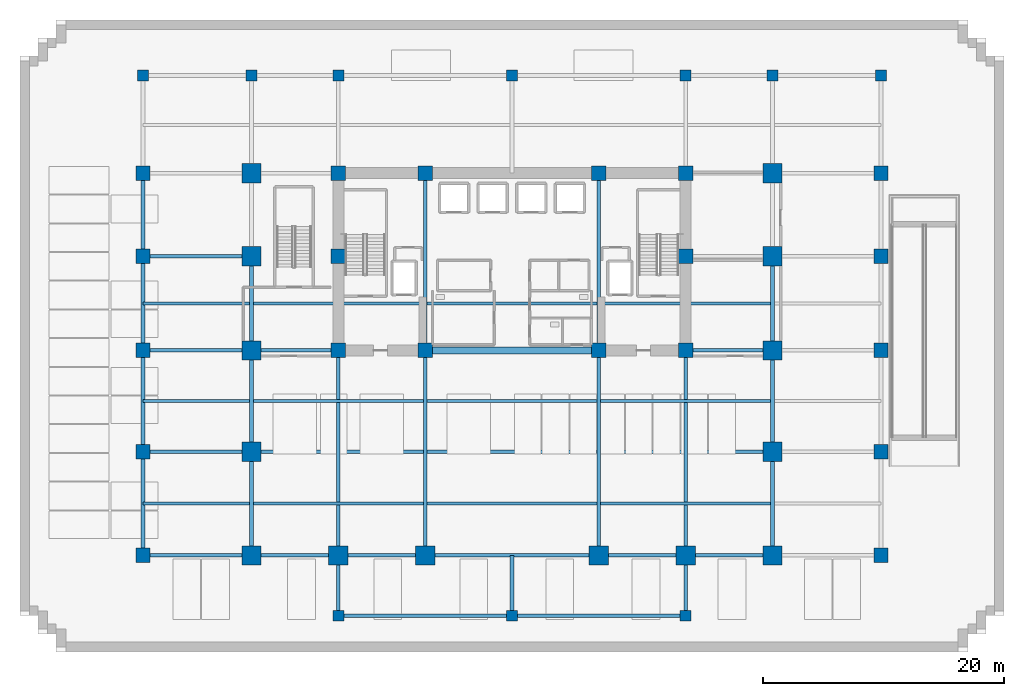
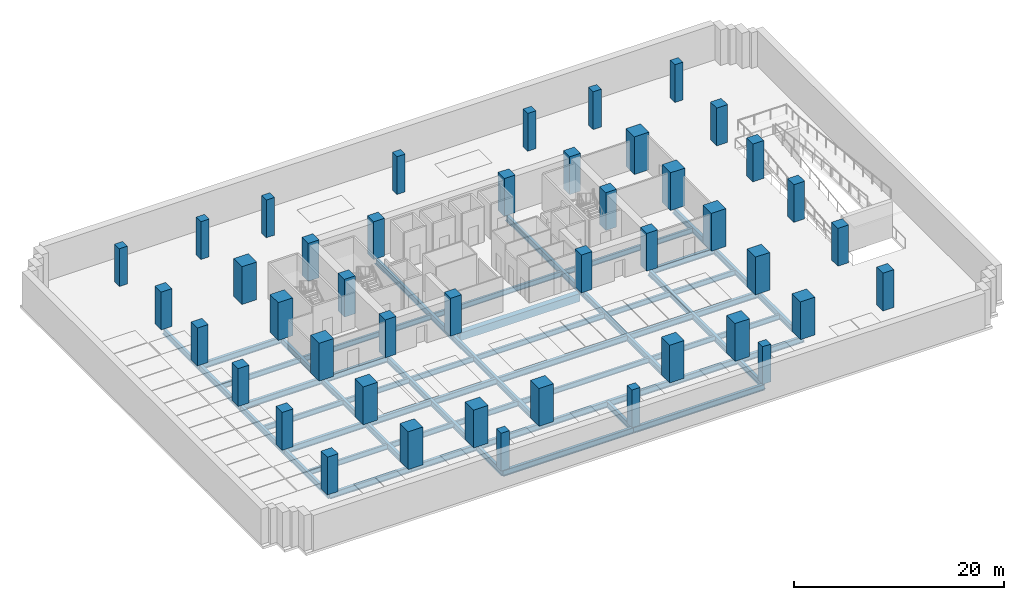
# One storey, part 1 of 13: 46 beams, 44 columns.
"""IFC4 building model written with IfcOpenShell, lengths in metres."""

import ifcopenshell
import ifcopenshell.guid

model = None  # the IFC model being written
_history = None  # IfcOwnerHistory: only IFC2X3 demands one
_inside = {}  # id of a spatial element -> (the spatial element, [elements in it])
_under = {}  # id of a project, library or spatial element -> (it, [spatial elements below it])
_declared = {}  # id of a project -> (the project, [libraries it declares])
_typed = {}  # id of a type object -> (the type object, [elements of that type])
_made_of = {}  # id of a material, layer set ... -> (it, [elements and type objects made of it])


def new_model(schema):
    """Start an empty IFC model of exactly this schema.

    Asked for "IFC4X3", IfcOpenShell would pick the latest addendum, in which some entities
    have other attributes; the version numbers below select the first issue.
    IFC2X3 requires an IfcOwnerHistory on every rooted entity: one is made here for all.
    """
    global model, _history
    if schema == "IFC4X3":
        model = ifcopenshell.file(schema_version=(4, 3, 0, 0))
    else:
        model = ifcopenshell.file(schema=schema)
    _inside.clear()
    _under.clear()
    _declared.clear()
    _typed.clear()
    _made_of.clear()
    _history = None
    if model.schema == "IFC2X3":
        org = make("IfcOrganization", Name="unknown")
        user = make(
            "IfcPersonAndOrganization",
            ThePerson=make("IfcPerson", FamilyName="unknown"),
            TheOrganization=org,
        )
        app = make(
            "IfcApplication",
            ApplicationDeveloper=org,
            Version="unknown",
            ApplicationFullName="unknown",
            ApplicationIdentifier="unknown",
        )
        _history = make(
            "IfcOwnerHistory",
            OwningUser=user,
            OwningApplication=app,
            ChangeAction="ADDED",
            CreationDate=0,
        )
    return model


def make(cls, **values):
    """One entity of the class cls with the attributes given. An attribute that is None is left unset."""
    return model.create_entity(
        cls, **{name: value for name, value in values.items() if value is not None}
    )


def rooted(cls, **values):
    """An entity with a GlobalId (a new one), such as an element, a storey or a relation."""
    return make(cls, GlobalId=ifcopenshell.guid.new(), OwnerHistory=_history, **values)


def si_unit(unit_type, name, prefix=None):
    """IfcSIUnit, for example si_unit("LENGTHUNIT", "METRE", prefix="MILLI")."""
    return make("IfcSIUnit", UnitType=unit_type, Prefix=prefix, Name=name)


def assignment(units):
    """IfcUnitAssignment: the units of a project."""
    return None if units is None else make("IfcUnitAssignment", Units=units)


def point(xyz):
    """IfcCartesianPoint."""
    return None if xyz is None else make("IfcCartesianPoint", Coordinates=xyz)


def direction(xyz):
    """IfcDirection."""
    return None if xyz is None else make("IfcDirection", DirectionRatios=xyz)


def frame(location, z_axis=None, x_axis=None):
    """IfcAxis2Placement3D, a coordinate frame: its origin and axes. An axis left out is left unset."""
    return make(
        "IfcAxis2Placement3D",
        Location=point(location),
        Axis=direction(z_axis),
        RefDirection=direction(x_axis),
    )


def frame_2d(location, x_axis=None):
    """IfcAxis2Placement2D, a coordinate frame in the plane: its origin and x axis."""
    return make(
        "IfcAxis2Placement2D", Location=point(location), RefDirection=direction(x_axis)
    )


def origin():
    """The frame at (0, 0, 0) with its axes left unset."""
    return frame((0.0, 0.0, 0.0))


def origin_2d():
    """The frame at (0, 0) in the plane with its x axis left unset."""
    return frame_2d((0.0, 0.0))


def place(relative_to, where):
    """IfcLocalPlacement: puts the frame where relative to a parent placement (None: the world)."""
    return make(
        "IfcLocalPlacement", PlacementRelTo=relative_to, RelativePlacement=where
    )


def context(
    kind, dimensions, precision=None, world=None, true_north=None, identifier=None
):
    """IfcGeometricRepresentationContext, for example the 3D "Model" context."""
    return make(
        "IfcGeometricRepresentationContext",
        ContextIdentifier=identifier,
        ContextType=kind,
        CoordinateSpaceDimension=dimensions,
        Precision=precision,
        WorldCoordinateSystem=world,
        TrueNorth=true_north,
    )


def subcontext(parent, identifier, kind, view, scale=None):
    """IfcGeometricRepresentationSubContext, for example "Body" below "Model"."""
    return make(
        "IfcGeometricRepresentationSubContext",
        ContextIdentifier=identifier,
        ContextType=kind,
        ParentContext=parent,
        TargetScale=scale,
        TargetView=view,
    )


def project(units=None, contexts=None):
    """IfcProject with its units and contexts."""
    return rooted(
        "IfcProject",
        Name="project",
        RepresentationContexts=contexts,
        UnitsInContext=assignment(units),
    )


def spatial(cls, under=None, at=None, **own):
    """A site, building, storey or space (cls), placed at a placement, below another one or the project."""
    s = rooted(cls, ObjectPlacement=at, **own)
    if under is not None:
        _under.setdefault(under.id(), (under, []))[1].append(s)
    return s


def profile(cls, at=None, kind="AREA", **sizes):
    """A parametric profile (cls). Its sizes go by their IFC names, for example OverallWidth=200.0."""
    return make(cls, ProfileType=kind, Position=at, **sizes)


def rectangle(**sizes):
    """IfcRectangleProfileDef."""
    return profile("IfcRectangleProfileDef", **sizes)


def i_section(**sizes):
    """IfcIShapeProfileDef."""
    return profile("IfcIShapeProfileDef", **sizes)


def extrude(swept, where, along, depth):
    """IfcExtrudedAreaSolid: the profile swept, set in the frame where, extruded along a direction by depth."""
    return make(
        "IfcExtrudedAreaSolid",
        SweptArea=swept,
        Position=where,
        ExtrudedDirection=direction(along),
        Depth=depth,
    )


def shape(context_of_items, identifier, shape_type, items):
    """IfcShapeRepresentation: the items that make up one representation, for example the "Body"."""
    return make(
        "IfcShapeRepresentation",
        ContextOfItems=context_of_items,
        RepresentationIdentifier=identifier,
        RepresentationType=shape_type,
        Items=items,
    )


def material(Name=None, Category=None):
    """IfcMaterial."""
    return make("IfcMaterial", Name=Name, Category=Category)


def material_profile(
    of_material, cross_section, Name=None, Category=None, Priority=None
):
    """IfcMaterialProfile: a cross section and its material."""
    return make(
        "IfcMaterialProfile",
        Name=Name,
        Material=of_material,
        Profile=cross_section,
        Priority=Priority,
        Category=Category,
    )


def profile_set(profiles, Name=None, composite=None):
    """IfcMaterialProfileSet."""
    return make(
        "IfcMaterialProfileSet",
        Name=Name,
        MaterialProfiles=profiles,
        CompositeProfile=composite,
    )


def made_of(thing, what):
    """Note that an element or type object is made of a material, layer set ...; save() writes the relation."""
    if what is not None:
        _made_of.setdefault(what.id(), (what, []))[1].append(thing)
    return thing


def type_object(cls, material=None, **own):
    """A type object (cls), such as IfcWallType, which elements share."""
    return made_of(rooted(cls, **own), material)


def element(
    cls,
    number,
    at=None,
    inside=None,
    cuts=None,
    type_object=None,
    material=None,
    context=None,
    identifier="Body",
    shape_type=None,
    held_by="IfcProductDefinitionShape",
    body=None,
    shapes=None,
    **own,
):
    """One element of the class cls, such as IfcWall. Its Tag is "e" and its number.

    at: its placement. inside: the storey or other place that contains it. cuts: it is an
    opening in that element (IfcRelVoidsElement). A single representation is given by context,
    identifier, shape_type and body (its items); several are given by shapes. held_by: the class
    of the entity that holds the representations. save() writes the other relations.
    """
    e = rooted(cls, Tag="e%d" % number, ObjectPlacement=at, **own)
    if body is not None:
        shapes = [shape(context, identifier, shape_type, body)]
    if shapes is not None:
        e.Representation = make(held_by, Representations=shapes)
    if inside is not None:
        _inside.setdefault(inside.id(), (inside, []))[1].append(e)
    if cuts is not None:
        rooted(
            "IfcRelVoidsElement", RelatingBuildingElement=cuts, RelatedOpeningElement=e
        )
    if type_object is not None:
        _typed.setdefault(type_object.id(), (type_object, []))[1].append(e)
    return made_of(e, material)


def aggregate(whole, parts):
    """IfcRelAggregates: a whole, such as a stair, and the parts it consists of."""
    return rooted("IfcRelAggregates", RelatingObject=whole, RelatedObjects=parts)


def save(model, path):
    """Write the relations noted so far, then the file.

    IfcRelAggregates (storeys below a building ...), IfcRelContainedInSpatialStructure (elements
    in a storey), IfcRelDefinesByType, IfcRelAssociatesMaterial and IfcRelDeclares: one each for
    every whole, place, type object, material and project.
    """
    for whole, parts in _under.values():
        aggregate(whole, parts)
    for where, things in _inside.values():
        rooted(
            "IfcRelContainedInSpatialStructure",
            RelatedElements=things,
            RelatingStructure=where,
        )
    for kind, things in _typed.values():
        rooted("IfcRelDefinesByType", RelatedObjects=things, RelatingType=kind)
    for what, things in _made_of.values():
        rooted("IfcRelAssociatesMaterial", RelatedObjects=things, RelatingMaterial=what)
    for by, libraries in _declared.values():
        rooted("IfcRelDeclares", RelatingContext=by, RelatedDefinitions=libraries)
    model.write(path)


model = new_model("IFC4")

# Units and contexts
model_context = context("Model", 3, precision=1e-05, world=origin(), true_north=direction((0.0, 1.0)))
body_context = subcontext(model_context, "Body", "Model", "MODEL_VIEW")
ifc_project = project(units=[si_unit("LENGTHUNIT", "METRE"), si_unit("AREAUNIT", "SQUARE_METRE"), si_unit("VOLUMEUNIT", "CUBIC_METRE"), si_unit("PLANEANGLEUNIT", "RADIAN"), si_unit("MASSUNIT", "GRAM", prefix="KILO")], contexts=[model_context])

# Site, building, storey
site_placement = place(None, origin())
site = spatial("IfcSite", under=ifc_project, at=site_placement, CompositionType="ELEMENT")
building_placement = place(site_placement, origin())
building = spatial("IfcBuilding", under=site, at=building_placement, Name="Zarnakvel Exchange Tower", CompositionType="ELEMENT")
storey_placement = place(building_placement, frame((0.0, 0.0, -8.800048828125)))
storey = spatial("IfcBuildingStorey", under=building, at=storey_placement, Name="B02", CompositionType="ELEMENT", Elevation=-8.800048828125)

# Columns
ifc_material_1 = material(Name="Concrete C80/95", Category="concrete")
ifc_material_profile_1 = material_profile(ifc_material_1, rectangle(XDim=1.199951171875, YDim=1.199951171875, at=origin_2d()))
ifc_profile_set_1 = profile_set([ifc_material_profile_1], Name="Concrete C80/95")
column_type_1 = type_object("IfcColumnType", Name="CC-01", PredefinedType="COLUMN", material=ifc_profile_set_1)
for number, where, z_axis, x_axis, name in (
    (1, (-14.39990234375, -1.199951171875, 0.0), (0.0, 0.0, 1.0), (1.0, 0.0, 0.0), "B02 Column C-4D (CC-01)"),
    (2, (-7.199951171875, -1.199951171875, 0.0), (0.0, 0.0, 1.0), (1.0, 0.0, 0.0), "B02 Column C-5D (CC-01)"),
    (3, (7.199951171875, -1.199951171875, 0.0), (0.0, 0.0, 1.0), (1.0, 0.0, 0.0), "B02 Column C-8D (CC-01)"),
    (4, (14.39990234375, -1.199951171875, 0.0), (0.0, 0.0, 1.0), (1.0, 0.0, 0.0), "B02 Column C-9D (CC-01)"),
    (5, (-14.39990234375, 6.60009765625, 0.0), (0.0, 0.0, 1.0), (1.0, 0.0, 0.0), "B02 Column C-4E (CC-01)"),
    (6, (14.39990234375, 6.60009765625, 0.0), (0.0, 0.0, 1.0), (1.0, 0.0, 0.0), "B02 Column C-9E (CC-01)"),
    (7, (-14.39990234375, 13.5, 0.0), (0.0, 0.0, 1.0), (1.0, 0.0, 0.0), "B02 Column C-4F (CC-01)"),
    (8, (-7.199951171875, 13.5, 0.0), (0.0, 0.0, 1.0), (1.0, 0.0, 0.0), "B02 Column C-5F (CC-01)"),
    (9, (7.199951171875, 13.5, 0.0), (0.0, 0.0, 1.0), (1.0, 0.0, 0.0), "B02 Column C-8F (CC-01)"),
    (10, (14.39990234375, 13.5, 0.0), (0.0, 0.0, 1.0), (1.0, 0.0, 0.0), "B02 Column C-9F (CC-01)"),
):
    element("IfcColumn", number, at=place(storey_placement, frame(where, z_axis=z_axis, x_axis=x_axis)), inside=storey, type_object=column_type_1, Name=name, PredefinedType="COLUMN", context=body_context, shape_type="SweptSolid", body=[
        extrude(rectangle(XDim=1.199951171875, YDim=1.199951171875, at=origin_2d()), origin(), (0.0, 0.0, 1.0), 4.400146484375),
    ])
ifc_material_profile_2 = material_profile(ifc_material_1, rectangle(XDim=1.60009765625, YDim=1.60009765625, at=origin_2d()))
ifc_profile_set_2 = profile_set([ifc_material_profile_2], Name="Concrete C80/95")
column_type_2 = type_object("IfcColumnType", Name="MC-01", PredefinedType="COLUMN", material=ifc_profile_set_2)
for number, where, z_axis, x_axis, name in (
    (11, (-21.60009765625, -18.199951171875, 0.0), (0.0, 0.0, 1.0), (1.0, 0.0, 0.0), "B02 Column M-3B (MC-01)"),
    (12, (-14.39990234375, -18.199951171875, 0.0), (0.0, 0.0, 1.0), (1.0, 0.0, 0.0), "B02 Column M-4B (MC-01)"),
    (13, (-7.199951171875, -18.199951171875, 0.0), (0.0, 0.0, 1.0), (1.0, 0.0, 0.0), "B02 Column M-5B (MC-01)"),
    (14, (7.199951171875, -18.199951171875, 0.0), (0.0, 0.0, 1.0), (1.0, 0.0, 0.0), "B02 Column M-8B (MC-01)"),
    (15, (14.39990234375, -18.199951171875, 0.0), (0.0, 0.0, 1.0), (1.0, 0.0, 0.0), "B02 Column M-9B (MC-01)"),
    (16, (21.60009765625, -18.199951171875, 0.0), (0.0, 0.0, 1.0), (1.0, 0.0, 0.0), "B02 Column M-10B (MC-01)"),
    (17, (-21.60009765625, -9.60009765625, 0.0), (0.0, 0.0, 1.0), (1.0, 0.0, 0.0), "B02 Column M-3C (MC-01)"),
    (18, (21.60009765625, -9.60009765625, 0.0), (0.0, 0.0, 1.0), (1.0, 0.0, 0.0), "B02 Column M-10C (MC-01)"),
    (19, (-21.60009765625, -1.199951171875, 0.0), (0.0, 0.0, 1.0), (1.0, 0.0, 0.0), "B02 Column M-3D (MC-01)"),
    (20, (21.60009765625, -1.199951171875, 0.0), (0.0, 0.0, 1.0), (1.0, 0.0, 0.0), "B02 Column M-10D (MC-01)"),
    (21, (-21.60009765625, 6.60009765625, 0.0), (0.0, 0.0, 1.0), (1.0, 0.0, 0.0), "B02 Column M-3E (MC-01)"),
    (22, (21.60009765625, 6.60009765625, 0.0), (0.0, 0.0, 1.0), (1.0, 0.0, 0.0), "B02 Column M-10E (MC-01)"),
    (23, (-21.60009765625, 13.5, 0.0), (0.0, 0.0, 1.0), (1.0, 0.0, 0.0), "B02 Column M-3F (MC-01)"),
    (24, (21.60009765625, 13.5, 0.0), (0.0, 0.0, 1.0), (1.0, 0.0, 0.0), "B02 Column M-10F (MC-01)"),
):
    element("IfcColumn", number, at=place(storey_placement, frame(where, z_axis=z_axis, x_axis=x_axis)), inside=storey, type_object=column_type_2, Name=name, PredefinedType="COLUMN", context=body_context, shape_type="SweptSolid", body=[
        extrude(rectangle(XDim=1.60009765625, YDim=1.60009765625, at=origin_2d()), origin(), (0.0, 0.0, 1.0), 4.400146484375),
    ])
ifc_material_profile_3 = material_profile(ifc_material_1, rectangle(XDim=1.199951171875, YDim=1.199951171875, at=origin_2d()))
ifc_profile_set_3 = profile_set([ifc_material_profile_3], Name="Concrete C80/95")
column_type_3 = type_object("IfcColumnType", Name="MC-03", PredefinedType="COLUMN", material=ifc_profile_set_3)
for number, where, z_axis, x_axis, name in (
    (25, (-30.60009765625, -18.199951171875, 0.0), (0.0, 0.0, 1.0), (1.0, 0.0, 0.0), "B02 Column W-2B (MC-03)"),
    (26, (-30.60009765625, -9.60009765625, 0.0), (0.0, 0.0, 1.0), (1.0, 0.0, 0.0), "B02 Column W-2C (MC-03)"),
    (27, (-30.60009765625, -1.199951171875, 0.0), (0.0, 0.0, 1.0), (1.0, 0.0, 0.0), "B02 Column W-2D (MC-03)"),
    (28, (-30.60009765625, 6.60009765625, 0.0), (0.0, 0.0, 1.0), (1.0, 0.0, 0.0), "B02 Column W-2E (MC-03)"),
    (29, (-30.60009765625, 13.5, 0.0), (0.0, 0.0, 1.0), (1.0, 0.0, 0.0), "B02 Column W-2F (MC-03)"),
    (30, (30.60009765625, -18.199951171875, 0.0), (0.0, 0.0, 1.0), (1.0, 0.0, 0.0), "B02 Column W-11B (MC-03)"),
    (31, (30.60009765625, -9.60009765625, 0.0), (0.0, 0.0, 1.0), (1.0, 0.0, 0.0), "B02 Column W-11C (MC-03)"),
    (32, (30.60009765625, -1.199951171875, 0.0), (0.0, 0.0, 1.0), (1.0, 0.0, 0.0), "B02 Column W-11D (MC-03)"),
    (33, (30.60009765625, 6.60009765625, 0.0), (0.0, 0.0, 1.0), (1.0, 0.0, 0.0), "B02 Column W-11E (MC-03)"),
    (34, (30.60009765625, 13.5, 0.0), (0.0, 0.0, 1.0), (1.0, 0.0, 0.0), "B02 Column W-11F (MC-03)"),
):
    element("IfcColumn", number, at=place(storey_placement, frame(where, z_axis=z_axis, x_axis=x_axis)), inside=storey, type_object=column_type_3, Name=name, PredefinedType="COLUMN", context=body_context, shape_type="SweptSolid", body=[
        extrude(rectangle(XDim=1.199951171875, YDim=1.199951171875, at=origin_2d()), origin(), (0.0, 0.0, 1.0), 4.400146484375),
    ])
ifc_material_2 = material(Name="Concrete C50/60", Category="concrete")
ifc_material_profile_4 = material_profile(ifc_material_2, rectangle(XDim=0.89990234375, YDim=0.89990234375, at=origin_2d()))
ifc_profile_set_4 = profile_set([ifc_material_profile_4], Name="Concrete C50/60")
column_type_4 = type_object("IfcColumnType", Name="MC-04", PredefinedType="COLUMN", material=ifc_profile_set_4)
for number, where, z_axis, x_axis, name in (
    (35, (-30.60009765625, 21.60009765625, 0.0), (0.0, 0.0, 1.0), (1.0, 0.0, 0.0), "B02 Column P-2G (MC-04)"),
    (36, (30.60009765625, 21.60009765625, 0.0), (0.0, 0.0, 1.0), (1.0, 0.0, 0.0), "B02 Column P-11G (MC-04)"),
    (37, (-21.60009765625, 21.60009765625, 0.0), (0.0, 0.0, 1.0), (1.0, 0.0, 0.0), "B02 Column P-3G (MC-04)"),
    (38, (21.60009765625, 21.60009765625, 0.0), (0.0, 0.0, 1.0), (1.0, 0.0, 0.0), "B02 Column P-10G (MC-04)"),
    (39, (-14.39990234375, -23.199951171875, 0.0), (0.0, 0.0, 1.0), (1.0, 0.0, 0.0), "B02 Column P-4A (MC-04)"),
    (40, (0.0, -23.199951171875, 0.0), (0.0, 0.0, 1.0), (1.0, 0.0, 0.0), "B02 Column P-65A (MC-04)"),
    (41, (14.39990234375, -23.199951171875, 0.0), (0.0, 0.0, 1.0), (1.0, 0.0, 0.0), "B02 Column P-9A (MC-04)"),
    (42, (-14.39990234375, 21.60009765625, 0.0), (0.0, 0.0, 1.0), (1.0, 0.0, 0.0), "B02 Column P-4G (MC-04)"),
    (43, (0.0, 21.60009765625, 0.0), (0.0, 0.0, 1.0), (1.0, 0.0, 0.0), "B02 Column P-65G (MC-04)"),
    (44, (14.39990234375, 21.60009765625, 0.0), (0.0, 0.0, 1.0), (1.0, 0.0, 0.0), "B02 Column P-9G (MC-04)"),
):
    element("IfcColumn", number, at=place(storey_placement, frame(where, z_axis=z_axis, x_axis=x_axis)), inside=storey, type_object=column_type_4, Name=name, PredefinedType="COLUMN", context=body_context, shape_type="SweptSolid", body=[
        extrude(rectangle(XDim=0.89990234375, YDim=0.89990234375, at=origin_2d()), origin(), (0.0, 0.0, 1.0), 4.400146484375),
    ])

# Beams
ifc_material_3 = material(Name="Steel S355", Category="steel")
ifc_material_profile_5 = material_profile(ifc_material_3, i_section(OverallWidth=0.230224609375, OverallDepth=0.6171875, WebThickness=0.01318359375, FlangeThickness=0.022216796875, FilletRadius=0.0126953125, at=origin_2d()))
ifc_profile_set_5 = profile_set([ifc_material_profile_5], Name="Steel S355")
beam_type_1 = type_object("IfcBeamType", Name="B-02", PredefinedType="JOIST", material=ifc_profile_set_5)
beam_1_placement = place(storey_placement, frame((-30.60009765625, -13.89990234375, -0.588623046875), z_axis=(1.0, 0.0, 0.0), x_axis=(0.0, 1.0, 0.0)))
element("IfcBeam", 45, at=beam_1_placement, inside=storey, type_object=beam_type_1, Name="B02 Secondary Floor Joist", PredefinedType="JOIST", context=body_context, shape_type="SweptSolid", body=[
    extrude(i_section(OverallWidth=0.230224609375, OverallDepth=0.6171875, WebThickness=0.01318359375, FlangeThickness=0.022216796875, FilletRadius=0.0126953125, at=origin_2d()), origin(), (0.0, 0.0, 1.0), 8.85009765625),
])
beam_2_placement = place(storey_placement, frame((-21.449951171875, -13.89990234375, -0.588623046875), z_axis=(1.0, 0.0, 0.0), x_axis=(0.0, 1.0, 0.0)))
element("IfcBeam", 46, at=beam_2_placement, inside=storey, type_object=beam_type_1, Name="B02 Secondary Floor Joist", PredefinedType="JOIST", context=body_context, shape_type="SweptSolid", body=[
    extrude(i_section(OverallWidth=0.230224609375, OverallDepth=0.6171875, WebThickness=0.01318359375, FlangeThickness=0.022216796875, FilletRadius=0.0126953125, at=origin_2d()), origin(), (0.0, 0.0, 1.0), 14.099853515625),
])
beam_3_placement = place(storey_placement, frame((-7.050048828125, -13.89990234375, -0.588623046875), z_axis=(1.0, 0.0, 0.0), x_axis=(0.0, 1.0, 0.0)))
element("IfcBeam", 47, at=beam_3_placement, inside=storey, type_object=beam_type_1, Name="B02 Secondary Floor Joist", PredefinedType="JOIST", context=body_context, shape_type="SweptSolid", body=[
    extrude(i_section(OverallWidth=0.230224609375, OverallDepth=0.6171875, WebThickness=0.01318359375, FlangeThickness=0.022216796875, FilletRadius=0.0126953125, at=origin_2d()), origin(), (0.0, 0.0, 1.0), 14.10009765625),
])
beam_4_placement = place(storey_placement, frame((7.35009765625, -13.89990234375, -0.588623046875), z_axis=(1.0, 0.0, 0.0), x_axis=(0.0, 1.0, 0.0)))
element("IfcBeam", 48, at=beam_4_placement, inside=storey, type_object=beam_type_1, Name="B02 Secondary Floor Joist", PredefinedType="JOIST", context=body_context, shape_type="SweptSolid", body=[
    extrude(i_section(OverallWidth=0.230224609375, OverallDepth=0.6171875, WebThickness=0.01318359375, FlangeThickness=0.022216796875, FilletRadius=0.0126953125, at=origin_2d()), origin(), (0.0, 0.0, 1.0), 14.099853515625),
])
beam_5_placement = place(storey_placement, frame((-30.60009765625, -5.39990234375, -0.588623046875), z_axis=(1.0, 0.0, 0.0), x_axis=(0.0, 1.0, 0.0)))
element("IfcBeam", 49, at=beam_5_placement, inside=storey, type_object=beam_type_1, Name="B02 Secondary Floor Joist", PredefinedType="JOIST", context=body_context, shape_type="SweptSolid", body=[
    extrude(i_section(OverallWidth=0.230224609375, OverallDepth=0.6171875, WebThickness=0.01318359375, FlangeThickness=0.022216796875, FilletRadius=0.0126953125, at=origin_2d()), origin(), (0.0, 0.0, 1.0), 8.85009765625),
])
beam_6_placement = place(storey_placement, frame((-21.449951171875, -5.39990234375, -0.588623046875), z_axis=(1.0, 0.0, 0.0), x_axis=(0.0, 1.0, 0.0)))
element("IfcBeam", 50, at=beam_6_placement, inside=storey, type_object=beam_type_1, Name="B02 Secondary Floor Joist", PredefinedType="JOIST", context=body_context, shape_type="SweptSolid", body=[
    extrude(i_section(OverallWidth=0.230224609375, OverallDepth=0.6171875, WebThickness=0.01318359375, FlangeThickness=0.022216796875, FilletRadius=0.0126953125, at=origin_2d()), origin(), (0.0, 0.0, 1.0), 14.099853515625),
])
beam_7_placement = place(storey_placement, frame((-7.050048828125, -5.39990234375, -0.588623046875), z_axis=(1.0, 0.0, 0.0), x_axis=(0.0, 1.0, 0.0)))
element("IfcBeam", 51, at=beam_7_placement, inside=storey, type_object=beam_type_1, Name="B02 Secondary Floor Joist", PredefinedType="JOIST", context=body_context, shape_type="SweptSolid", body=[
    extrude(i_section(OverallWidth=0.230224609375, OverallDepth=0.6171875, WebThickness=0.01318359375, FlangeThickness=0.022216796875, FilletRadius=0.0126953125, at=origin_2d()), origin(), (0.0, 0.0, 1.0), 14.10009765625),
])
beam_8_placement = place(storey_placement, frame((7.35009765625, -5.39990234375, -0.588623046875), z_axis=(1.0, 0.0, 0.0), x_axis=(0.0, 1.0, 0.0)))
element("IfcBeam", 52, at=beam_8_placement, inside=storey, type_object=beam_type_1, Name="B02 Secondary Floor Joist", PredefinedType="JOIST", context=body_context, shape_type="SweptSolid", body=[
    extrude(i_section(OverallWidth=0.230224609375, OverallDepth=0.6171875, WebThickness=0.01318359375, FlangeThickness=0.022216796875, FilletRadius=0.0126953125, at=origin_2d()), origin(), (0.0, 0.0, 1.0), 14.099853515625),
])
beam_9_placement = place(storey_placement, frame((-30.60009765625, 2.699951171875, -0.588623046875), z_axis=(1.0, 0.0, 0.0), x_axis=(0.0, 1.0, 0.0)))
element("IfcBeam", 53, at=beam_9_placement, inside=storey, type_object=beam_type_1, Name="B02 Secondary Floor Joist", PredefinedType="JOIST", context=body_context, shape_type="SweptSolid", body=[
    extrude(i_section(OverallWidth=0.230224609375, OverallDepth=0.6171875, WebThickness=0.01318359375, FlangeThickness=0.022216796875, FilletRadius=0.0126953125, at=origin_2d()), origin(), (0.0, 0.0, 1.0), 8.85009765625),
])
beam_10_placement = place(storey_placement, frame((-21.449951171875, 2.699951171875, -0.588623046875), z_axis=(1.0, 0.0, 0.0), x_axis=(0.0, 1.0, 0.0)))
element("IfcBeam", 54, at=beam_10_placement, inside=storey, type_object=beam_type_1, Name="B02 Secondary Floor Joist", PredefinedType="JOIST", context=body_context, shape_type="SweptSolid", body=[
    extrude(i_section(OverallWidth=0.230224609375, OverallDepth=0.6171875, WebThickness=0.01318359375, FlangeThickness=0.022216796875, FilletRadius=0.0126953125, at=origin_2d()), origin(), (0.0, 0.0, 1.0), 14.099853515625),
])
beam_11_placement = place(storey_placement, frame((-7.050048828125, 2.699951171875, -0.588623046875), z_axis=(1.0, 0.0, 0.0), x_axis=(0.0, 1.0, 0.0)))
element("IfcBeam", 55, at=beam_11_placement, inside=storey, type_object=beam_type_1, Name="B02 Secondary Floor Joist", PredefinedType="JOIST", context=body_context, shape_type="SweptSolid", body=[
    extrude(i_section(OverallWidth=0.230224609375, OverallDepth=0.6171875, WebThickness=0.01318359375, FlangeThickness=0.022216796875, FilletRadius=0.0126953125, at=origin_2d()), origin(), (0.0, 0.0, 1.0), 14.10009765625),
])
beam_12_placement = place(storey_placement, frame((7.35009765625, 2.699951171875, -0.588623046875), z_axis=(1.0, 0.0, 0.0), x_axis=(0.0, 1.0, 0.0)))
element("IfcBeam", 56, at=beam_12_placement, inside=storey, type_object=beam_type_1, Name="B02 Secondary Floor Joist", PredefinedType="JOIST", context=body_context, shape_type="SweptSolid", body=[
    extrude(i_section(OverallWidth=0.230224609375, OverallDepth=0.6171875, WebThickness=0.01318359375, FlangeThickness=0.022216796875, FilletRadius=0.0126953125, at=origin_2d()), origin(), (0.0, 0.0, 1.0), 14.099853515625),
])
ifc_material_profile_6 = material_profile(ifc_material_1, rectangle(XDim=0.60009765625, YDim=0.89990234375, at=origin_2d()))
ifc_profile_set_6 = profile_set([ifc_material_profile_6], Name="Concrete C80/95")
beam_type_2 = type_object("IfcBeamType", Name="CB-01", PredefinedType="LINTEL", material=ifc_profile_set_6)
beam_13_placement = place(storey_placement, frame((-6.60009765625, -1.199951171875, -0.72998046875), z_axis=(1.0, 0.0, 0.0), x_axis=(0.0, 1.0, 0.0)))
element("IfcBeam", 57, at=beam_13_placement, inside=storey, type_object=beam_type_2, Name="B02 Rear Core South Coupling Beam (CB-01)", PredefinedType="LINTEL", context=body_context, shape_type="SweptSolid", body=[
    extrude(rectangle(XDim=0.60009765625, YDim=0.89990234375, at=origin_2d()), origin(), (0.0, 0.0, 1.0), 13.2001953125),
])
ifc_material_profile_7 = material_profile(ifc_material_3, i_section(OverallWidth=0.300048828125, OverallDepth=0.699951171875, WebThickness=0.01708984375, FlangeThickness=0.031982421875, FilletRadius=0.027099609375, at=origin_2d()))
ifc_profile_set_7 = profile_set([ifc_material_profile_7], Name="Steel S355")
beam_type_3 = type_object("IfcBeamType", Name="G-03", PredefinedType="BEAM", material=ifc_profile_set_7)
beam_14_placement = place(storey_placement, frame((-30.60009765625, -18.199951171875, -0.6298828125), z_axis=(1.0, 0.0, 0.0), x_axis=(0.0, 1.0, 0.0)))
element("IfcBeam", 58, at=beam_14_placement, inside=storey, type_object=beam_type_3, Name="B02 Primary E-W Girder Y=-18.2", PredefinedType="BEAM", context=body_context, shape_type="SweptSolid", body=[
    extrude(i_section(OverallWidth=0.300048828125, OverallDepth=0.699951171875, WebThickness=0.01708984375, FlangeThickness=0.031982421875, FilletRadius=0.027099609375, at=origin_2d()), origin(), (0.0, 0.0, 1.0), 9.0),
])
beam_15_placement = place(storey_placement, frame((-21.60009765625, -18.199951171875, -0.6298828125), z_axis=(1.0, 0.0, 0.0), x_axis=(0.0, 1.0, 0.0)))
element("IfcBeam", 59, at=beam_15_placement, inside=storey, type_object=beam_type_3, Name="B02 Primary E-W Girder Y=-18.2", PredefinedType="BEAM", context=body_context, shape_type="SweptSolid", body=[
    extrude(i_section(OverallWidth=0.300048828125, OverallDepth=0.699951171875, WebThickness=0.01708984375, FlangeThickness=0.031982421875, FilletRadius=0.027099609375, at=origin_2d()), origin(), (0.0, 0.0, 1.0), 7.2001953125),
])
beam_16_placement = place(storey_placement, frame((-14.39990234375, -18.199951171875, -0.6298828125), z_axis=(1.0, 0.0, 0.0), x_axis=(0.0, 1.0, 0.0)))
element("IfcBeam", 60, at=beam_16_placement, inside=storey, type_object=beam_type_3, Name="B02 Primary E-W Girder Y=-18.2", PredefinedType="BEAM", context=body_context, shape_type="SweptSolid", body=[
    extrude(i_section(OverallWidth=0.300048828125, OverallDepth=0.699951171875, WebThickness=0.01708984375, FlangeThickness=0.031982421875, FilletRadius=0.027099609375, at=origin_2d()), origin(), (0.0, 0.0, 1.0), 7.199951171875),
])
beam_17_placement = place(storey_placement, frame((-7.199951171875, -18.199951171875, -0.6298828125), z_axis=(1.0, 0.0, 0.0), x_axis=(0.0, 1.0, 0.0)))
element("IfcBeam", 61, at=beam_17_placement, inside=storey, type_object=beam_type_3, Name="B02 Primary E-W Girder Y=-18.2", PredefinedType="BEAM", context=body_context, shape_type="SweptSolid", body=[
    extrude(i_section(OverallWidth=0.300048828125, OverallDepth=0.699951171875, WebThickness=0.01708984375, FlangeThickness=0.031982421875, FilletRadius=0.027099609375, at=origin_2d()), origin(), (0.0, 0.0, 1.0), 14.39990234375),
])
beam_18_placement = place(storey_placement, frame((7.199951171875, -18.199951171875, -0.6298828125), z_axis=(1.0, 0.0, 0.0), x_axis=(0.0, 1.0, 0.0)))
element("IfcBeam", 62, at=beam_18_placement, inside=storey, type_object=beam_type_3, Name="B02 Primary E-W Girder Y=-18.2", PredefinedType="BEAM", context=body_context, shape_type="SweptSolid", body=[
    extrude(i_section(OverallWidth=0.300048828125, OverallDepth=0.699951171875, WebThickness=0.01708984375, FlangeThickness=0.031982421875, FilletRadius=0.027099609375, at=origin_2d()), origin(), (0.0, 0.0, 1.0), 7.199951171875),
])
beam_19_placement = place(storey_placement, frame((14.39990234375, -18.199951171875, -0.6298828125), z_axis=(1.0, 0.0, 0.0), x_axis=(0.0, 1.0, 0.0)))
element("IfcBeam", 63, at=beam_19_placement, inside=storey, type_object=beam_type_3, Name="B02 Primary E-W Girder Y=-18.2", PredefinedType="BEAM", context=body_context, shape_type="SweptSolid", body=[
    extrude(i_section(OverallWidth=0.300048828125, OverallDepth=0.699951171875, WebThickness=0.01708984375, FlangeThickness=0.031982421875, FilletRadius=0.027099609375, at=origin_2d()), origin(), (0.0, 0.0, 1.0), 7.2001953125),
])
beam_20_placement = place(storey_placement, frame((-30.60009765625, -9.60009765625, -0.6298828125), z_axis=(1.0, 0.0, 0.0), x_axis=(0.0, 1.0, 0.0)))
element("IfcBeam", 64, at=beam_20_placement, inside=storey, type_object=beam_type_3, Name="B02 Primary E-W Girder Y=-9.6", PredefinedType="BEAM", context=body_context, shape_type="SweptSolid", body=[
    extrude(i_section(OverallWidth=0.300048828125, OverallDepth=0.699951171875, WebThickness=0.01708984375, FlangeThickness=0.031982421875, FilletRadius=0.027099609375, at=origin_2d()), origin(), (0.0, 0.0, 1.0), 9.0),
])
beam_21_placement = place(storey_placement, frame((-21.60009765625, -9.60009765625, -0.6298828125), z_axis=(1.0, 0.0, 0.0), x_axis=(0.0, 1.0, 0.0)))
element("IfcBeam", 65, at=beam_21_placement, inside=storey, type_object=beam_type_3, Name="B02 Primary E-W Girder Y=-9.6", PredefinedType="BEAM", context=body_context, shape_type="SweptSolid", body=[
    extrude(i_section(OverallWidth=0.300048828125, OverallDepth=0.699951171875, WebThickness=0.01708984375, FlangeThickness=0.031982421875, FilletRadius=0.027099609375, at=origin_2d()), origin(), (0.0, 0.0, 1.0), 43.2001953125),
])
beam_22_placement = place(storey_placement, frame((-30.60009765625, -1.199951171875, -0.6298828125), z_axis=(1.0, 0.0, 0.0), x_axis=(0.0, 1.0, 0.0)))
element("IfcBeam", 66, at=beam_22_placement, inside=storey, type_object=beam_type_3, Name="B02 Primary E-W Girder Y=-1.2", PredefinedType="BEAM", context=body_context, shape_type="SweptSolid", body=[
    extrude(i_section(OverallWidth=0.300048828125, OverallDepth=0.699951171875, WebThickness=0.01708984375, FlangeThickness=0.031982421875, FilletRadius=0.027099609375, at=origin_2d()), origin(), (0.0, 0.0, 1.0), 9.0),
])
for number, where, z_axis, x_axis, name in (
    (67, (-21.60009765625, -1.199951171875, -0.6298828125), (1.0, 0.0, 0.0), (0.0, 1.0, 0.0), "B02 Primary E-W Girder Y=-1.2"),
    (68, (14.39990234375, -1.199951171875, -0.6298828125), (1.0, 0.0, 0.0), (0.0, 1.0, 0.0), "B02 Primary E-W Girder Y=-1.2"),
):
    element("IfcBeam", number, at=place(storey_placement, frame(where, z_axis=z_axis, x_axis=x_axis)), inside=storey, type_object=beam_type_3, Name=name, PredefinedType="BEAM", context=body_context, shape_type="SweptSolid", body=[
        extrude(i_section(OverallWidth=0.300048828125, OverallDepth=0.699951171875, WebThickness=0.01708984375, FlangeThickness=0.031982421875, FilletRadius=0.027099609375, at=origin_2d()), origin(), (0.0, 0.0, 1.0), 7.2001953125),
    ])
beam_23_placement = place(storey_placement, frame((-30.60009765625, 6.60009765625, -0.6298828125), z_axis=(1.0, 0.0, 0.0), x_axis=(0.0, 1.0, 0.0)))
element("IfcBeam", 69, at=beam_23_placement, inside=storey, type_object=beam_type_3, Name="B02 Primary E-W Girder Y=+6.6", PredefinedType="BEAM", context=body_context, shape_type="SweptSolid", body=[
    extrude(i_section(OverallWidth=0.300048828125, OverallDepth=0.699951171875, WebThickness=0.01708984375, FlangeThickness=0.031982421875, FilletRadius=0.027099609375, at=origin_2d()), origin(), (0.0, 0.0, 1.0), 9.0),
])
for number, where, z_axis, x_axis, name in (
    (70, (-14.39990234375, -23.199951171875, -0.6298828125), (1.0, 0.0, 0.0), (0.0, 1.0, 0.0), "B02 Primary E-W Girder Y=-23.2"),
    (71, (0.0, -23.199951171875, -0.6298828125), (1.0, 0.0, 0.0), (0.0, 1.0, 0.0), "B02 Primary E-W Girder Y=-23.2"),
):
    element("IfcBeam", number, at=place(storey_placement, frame(where, z_axis=z_axis, x_axis=x_axis)), inside=storey, type_object=beam_type_3, Name=name, PredefinedType="BEAM", context=body_context, shape_type="SweptSolid", body=[
        extrude(i_section(OverallWidth=0.300048828125, OverallDepth=0.699951171875, WebThickness=0.01708984375, FlangeThickness=0.031982421875, FilletRadius=0.027099609375, at=origin_2d()), origin(), (0.0, 0.0, 1.0), 14.39990234375),
    ])
beam_24_placement = place(storey_placement, frame((-30.60009765625, -18.199951171875, -0.6298828125), z_axis=(0.0, 1.0, 0.0), x_axis=(-1.0, 0.0, 0.0)))
element("IfcBeam", 72, at=beam_24_placement, inside=storey, type_object=beam_type_3, Name="B02 Primary N-S Girder X=-30.6", PredefinedType="BEAM", context=body_context, shape_type="SweptSolid", body=[
    extrude(i_section(OverallWidth=0.300048828125, OverallDepth=0.699951171875, WebThickness=0.01708984375, FlangeThickness=0.031982421875, FilletRadius=0.027099609375, at=origin_2d()), origin(), (0.0, 0.0, 1.0), 8.599853515625),
])
beam_25_placement = place(storey_placement, frame((-30.60009765625, -9.60009765625, -0.6298828125), z_axis=(0.0, 1.0, 0.0), x_axis=(-1.0, 0.0, 0.0)))
element("IfcBeam", 73, at=beam_25_placement, inside=storey, type_object=beam_type_3, Name="B02 Primary N-S Girder X=-30.6", PredefinedType="BEAM", context=body_context, shape_type="SweptSolid", body=[
    extrude(i_section(OverallWidth=0.300048828125, OverallDepth=0.699951171875, WebThickness=0.01708984375, FlangeThickness=0.031982421875, FilletRadius=0.027099609375, at=origin_2d()), origin(), (0.0, 0.0, 1.0), 8.400146484375),
])
beam_26_placement = place(storey_placement, frame((-30.60009765625, -1.199951171875, -0.6298828125), z_axis=(0.0, 1.0, 0.0), x_axis=(-1.0, 0.0, 0.0)))
element("IfcBeam", 74, at=beam_26_placement, inside=storey, type_object=beam_type_3, Name="B02 Primary N-S Girder X=-30.6", PredefinedType="BEAM", context=body_context, shape_type="SweptSolid", body=[
    extrude(i_section(OverallWidth=0.300048828125, OverallDepth=0.699951171875, WebThickness=0.01708984375, FlangeThickness=0.031982421875, FilletRadius=0.027099609375, at=origin_2d()), origin(), (0.0, 0.0, 1.0), 7.800048828125),
])
beam_27_placement = place(storey_placement, frame((-30.60009765625, 6.60009765625, -0.6298828125), z_axis=(0.0, 1.0, 0.0), x_axis=(-1.0, 0.0, 0.0)))
element("IfcBeam", 75, at=beam_27_placement, inside=storey, type_object=beam_type_3, Name="B02 Primary N-S Girder X=-30.6", PredefinedType="BEAM", context=body_context, shape_type="SweptSolid", body=[
    extrude(i_section(OverallWidth=0.300048828125, OverallDepth=0.699951171875, WebThickness=0.01708984375, FlangeThickness=0.031982421875, FilletRadius=0.027099609375, at=origin_2d()), origin(), (0.0, 0.0, 1.0), 6.89990234375),
])
beam_28_placement = place(storey_placement, frame((-21.60009765625, -18.199951171875, -0.6298828125), z_axis=(0.0, 1.0, 0.0), x_axis=(-1.0, 0.0, 0.0)))
element("IfcBeam", 76, at=beam_28_placement, inside=storey, type_object=beam_type_3, Name="B02 Primary N-S Girder X=-21.6", PredefinedType="BEAM", context=body_context, shape_type="SweptSolid", body=[
    extrude(i_section(OverallWidth=0.300048828125, OverallDepth=0.699951171875, WebThickness=0.01708984375, FlangeThickness=0.031982421875, FilletRadius=0.027099609375, at=origin_2d()), origin(), (0.0, 0.0, 1.0), 8.599853515625),
])
beam_29_placement = place(storey_placement, frame((-21.60009765625, -9.60009765625, -0.6298828125), z_axis=(0.0, 1.0, 0.0), x_axis=(-1.0, 0.0, 0.0)))
element("IfcBeam", 77, at=beam_29_placement, inside=storey, type_object=beam_type_3, Name="B02 Primary N-S Girder X=-21.6", PredefinedType="BEAM", context=body_context, shape_type="SweptSolid", body=[
    extrude(i_section(OverallWidth=0.300048828125, OverallDepth=0.699951171875, WebThickness=0.01708984375, FlangeThickness=0.031982421875, FilletRadius=0.027099609375, at=origin_2d()), origin(), (0.0, 0.0, 1.0), 8.400146484375),
])
beam_30_placement = place(storey_placement, frame((-21.60009765625, -1.199951171875, -0.6298828125), z_axis=(0.0, 1.0, 0.0), x_axis=(-1.0, 0.0, 0.0)))
element("IfcBeam", 78, at=beam_30_placement, inside=storey, type_object=beam_type_3, Name="B02 Primary N-S Girder X=-21.6", PredefinedType="BEAM", context=body_context, shape_type="SweptSolid", body=[
    extrude(i_section(OverallWidth=0.300048828125, OverallDepth=0.699951171875, WebThickness=0.01708984375, FlangeThickness=0.031982421875, FilletRadius=0.027099609375, at=origin_2d()), origin(), (0.0, 0.0, 1.0), 7.800048828125),
])
beam_31_placement = place(storey_placement, frame((-14.39990234375, -23.199951171875, -0.6298828125), z_axis=(0.0, 1.0, 0.0), x_axis=(-1.0, 0.0, 0.0)))
element("IfcBeam", 79, at=beam_31_placement, inside=storey, type_object=beam_type_3, Name="B02 Primary N-S Girder X=-14.4", PredefinedType="BEAM", context=body_context, shape_type="SweptSolid", body=[
    extrude(i_section(OverallWidth=0.300048828125, OverallDepth=0.699951171875, WebThickness=0.01708984375, FlangeThickness=0.031982421875, FilletRadius=0.027099609375, at=origin_2d()), origin(), (0.0, 0.0, 1.0), 5.0),
])
for number, where, z_axis, x_axis, name in (
    (80, (-14.39990234375, -18.199951171875, -0.6298828125), (0.0, 1.0, 0.0), (-1.0, 0.0, 0.0), "B02 Primary N-S Girder X=-14.4"),
    (81, (-7.199951171875, -18.199951171875, -0.6298828125), (0.0, 1.0, 0.0), (-1.0, 0.0, 0.0), "B02 Primary N-S Girder X=-7.2"),
):
    element("IfcBeam", number, at=place(storey_placement, frame(where, z_axis=z_axis, x_axis=x_axis)), inside=storey, type_object=beam_type_3, Name=name, PredefinedType="BEAM", context=body_context, shape_type="SweptSolid", body=[
        extrude(i_section(OverallWidth=0.300048828125, OverallDepth=0.699951171875, WebThickness=0.01708984375, FlangeThickness=0.031982421875, FilletRadius=0.027099609375, at=origin_2d()), origin(), (0.0, 0.0, 1.0), 17.0),
    ])
beam_32_placement = place(storey_placement, frame((-7.199951171875, -1.199951171875, -0.6298828125), z_axis=(0.0, 1.0, 0.0), x_axis=(-1.0, 0.0, 0.0)))
element("IfcBeam", 82, at=beam_32_placement, inside=storey, type_object=beam_type_3, Name="B02 Primary N-S Girder X=-7.2", PredefinedType="BEAM", context=body_context, shape_type="SweptSolid", body=[
    extrude(i_section(OverallWidth=0.300048828125, OverallDepth=0.699951171875, WebThickness=0.01708984375, FlangeThickness=0.031982421875, FilletRadius=0.027099609375, at=origin_2d()), origin(), (0.0, 0.0, 1.0), 14.699951171875),
])
beam_33_placement = place(storey_placement, frame((0.0, -23.199951171875, -0.6298828125), z_axis=(0.0, 1.0, 0.0), x_axis=(-1.0, 0.0, 0.0)))
element("IfcBeam", 83, at=beam_33_placement, inside=storey, type_object=beam_type_3, Name="B02 Primary N-S Girder X=+0.0 South", PredefinedType="BEAM", context=body_context, shape_type="SweptSolid", body=[
    extrude(i_section(OverallWidth=0.300048828125, OverallDepth=0.699951171875, WebThickness=0.01708984375, FlangeThickness=0.031982421875, FilletRadius=0.027099609375, at=origin_2d()), origin(), (0.0, 0.0, 1.0), 5.0),
])
beam_34_placement = place(storey_placement, frame((7.199951171875, -18.199951171875, -0.6298828125), z_axis=(0.0, 1.0, 0.0), x_axis=(-1.0, 0.0, 0.0)))
element("IfcBeam", 84, at=beam_34_placement, inside=storey, type_object=beam_type_3, Name="B02 Primary N-S Girder X=+7.2", PredefinedType="BEAM", context=body_context, shape_type="SweptSolid", body=[
    extrude(i_section(OverallWidth=0.300048828125, OverallDepth=0.699951171875, WebThickness=0.01708984375, FlangeThickness=0.031982421875, FilletRadius=0.027099609375, at=origin_2d()), origin(), (0.0, 0.0, 1.0), 17.0),
])
beam_35_placement = place(storey_placement, frame((7.199951171875, -1.199951171875, -0.6298828125), z_axis=(0.0, 1.0, 0.0), x_axis=(-1.0, 0.0, 0.0)))
element("IfcBeam", 85, at=beam_35_placement, inside=storey, type_object=beam_type_3, Name="B02 Primary N-S Girder X=+7.2", PredefinedType="BEAM", context=body_context, shape_type="SweptSolid", body=[
    extrude(i_section(OverallWidth=0.300048828125, OverallDepth=0.699951171875, WebThickness=0.01708984375, FlangeThickness=0.031982421875, FilletRadius=0.027099609375, at=origin_2d()), origin(), (0.0, 0.0, 1.0), 14.699951171875),
])
beam_36_placement = place(storey_placement, frame((14.39990234375, -23.199951171875, -0.6298828125), z_axis=(0.0, 1.0, 0.0), x_axis=(-1.0, 0.0, 0.0)))
element("IfcBeam", 86, at=beam_36_placement, inside=storey, type_object=beam_type_3, Name="B02 Primary N-S Girder X=+14.4", PredefinedType="BEAM", context=body_context, shape_type="SweptSolid", body=[
    extrude(i_section(OverallWidth=0.300048828125, OverallDepth=0.699951171875, WebThickness=0.01708984375, FlangeThickness=0.031982421875, FilletRadius=0.027099609375, at=origin_2d()), origin(), (0.0, 0.0, 1.0), 5.0),
])
beam_37_placement = place(storey_placement, frame((14.39990234375, -18.199951171875, -0.6298828125), z_axis=(0.0, 1.0, 0.0), x_axis=(-1.0, 0.0, 0.0)))
element("IfcBeam", 87, at=beam_37_placement, inside=storey, type_object=beam_type_3, Name="B02 Primary N-S Girder X=+14.4", PredefinedType="BEAM", context=body_context, shape_type="SweptSolid", body=[
    extrude(i_section(OverallWidth=0.300048828125, OverallDepth=0.699951171875, WebThickness=0.01708984375, FlangeThickness=0.031982421875, FilletRadius=0.027099609375, at=origin_2d()), origin(), (0.0, 0.0, 1.0), 17.0),
])
beam_38_placement = place(storey_placement, frame((21.60009765625, -18.199951171875, -0.6298828125), z_axis=(0.0, 1.0, 0.0), x_axis=(-1.0, 0.0, 0.0)))
element("IfcBeam", 88, at=beam_38_placement, inside=storey, type_object=beam_type_3, Name="B02 Primary N-S Girder X=+21.6", PredefinedType="BEAM", context=body_context, shape_type="SweptSolid", body=[
    extrude(i_section(OverallWidth=0.300048828125, OverallDepth=0.699951171875, WebThickness=0.01708984375, FlangeThickness=0.031982421875, FilletRadius=0.027099609375, at=origin_2d()), origin(), (0.0, 0.0, 1.0), 8.599853515625),
])
beam_39_placement = place(storey_placement, frame((21.60009765625, -9.60009765625, -0.6298828125), z_axis=(0.0, 1.0, 0.0), x_axis=(-1.0, 0.0, 0.0)))
element("IfcBeam", 89, at=beam_39_placement, inside=storey, type_object=beam_type_3, Name="B02 Primary N-S Girder X=+21.6", PredefinedType="BEAM", context=body_context, shape_type="SweptSolid", body=[
    extrude(i_section(OverallWidth=0.300048828125, OverallDepth=0.699951171875, WebThickness=0.01708984375, FlangeThickness=0.031982421875, FilletRadius=0.027099609375, at=origin_2d()), origin(), (0.0, 0.0, 1.0), 8.400146484375),
])
beam_40_placement = place(storey_placement, frame((21.60009765625, -1.199951171875, -0.6298828125), z_axis=(0.0, 1.0, 0.0), x_axis=(-1.0, 0.0, 0.0)))
element("IfcBeam", 90, at=beam_40_placement, inside=storey, type_object=beam_type_3, Name="B02 Primary N-S Girder X=+21.6", PredefinedType="BEAM", context=body_context, shape_type="SweptSolid", body=[
    extrude(i_section(OverallWidth=0.300048828125, OverallDepth=0.699951171875, WebThickness=0.01708984375, FlangeThickness=0.031982421875, FilletRadius=0.027099609375, at=origin_2d()), origin(), (0.0, 0.0, 1.0), 7.800048828125),
])

save(model, "model.ifc")
